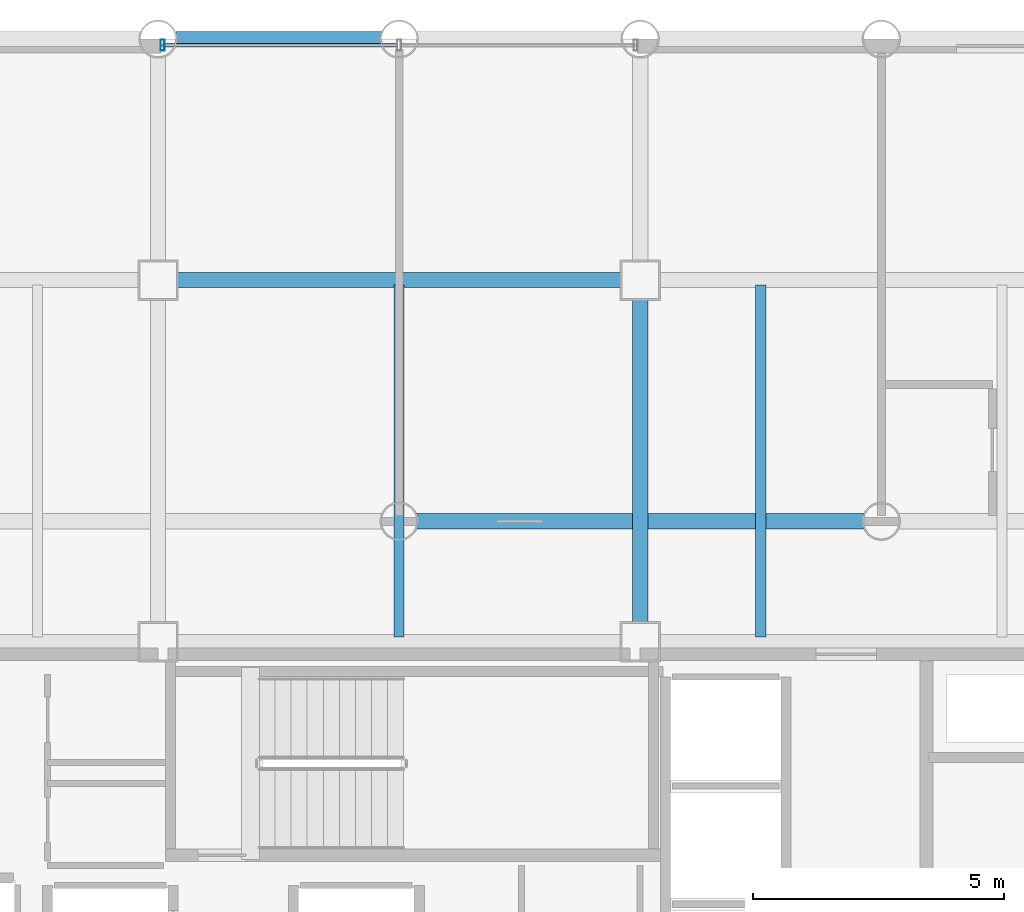
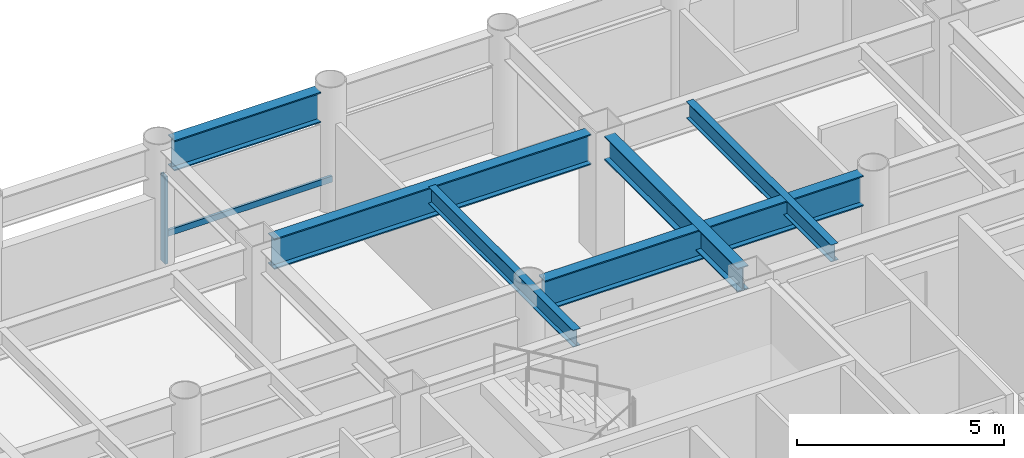
# One storey, part 11 of 21: 6 beams, 2 members, 1 element without a shape of its own.
"""IFC4 building model written with IfcOpenShell, lengths in metres."""

from ifc_helpers import new_model, si_unit, direction, frame, origin, origin_2d, place, context, subcontext, project, spatial, hollow_rectangle, i_section, extrude, material, layer, layer_set, material_profile, profile_set, type_object, element, aggregate, save


model = new_model("IFC4")

# Units and contexts
model_context = context("Model", 3, precision=1e-05, world=origin(), true_north=direction((0.0, 1.0)))
body_context = subcontext(model_context, "Body", "Model", "MODEL_VIEW")
ifc_project = project(units=[si_unit("LENGTHUNIT", "METRE"), si_unit("AREAUNIT", "SQUARE_METRE"), si_unit("VOLUMEUNIT", "CUBIC_METRE"), si_unit("PLANEANGLEUNIT", "RADIAN"), si_unit("MASSUNIT", "GRAM", prefix="KILO")], contexts=[model_context])

# Site, building, storey
site_placement = place(None, origin())
site = spatial("IfcSite", under=ifc_project, at=site_placement, CompositionType="ELEMENT")
building_placement = place(site_placement, origin())
building = spatial("IfcBuilding", under=site, at=building_placement, Name="Kallvorn Hotel Tower", CompositionType="ELEMENT")
storey_placement = place(building_placement, frame((0.0, 0.0, 41.10009765625)))
storey = spatial("IfcBuildingStorey", under=building, at=storey_placement, Name="L08", CompositionType="ELEMENT", Elevation=41.10009765625)

# Beams
ifc_material_1 = material(Name="Structural steel S355JR", Category="steel")
ifc_material_profile_1 = material_profile(ifc_material_1, i_section(OverallWidth=0.300048828125, OverallDepth=0.699951171875, WebThickness=0.01708984375, FlangeThickness=0.031982421875, at=origin_2d()), Name="HE 700 B")
ifc_profile_set_1 = profile_set([ifc_material_profile_1], Name="Structural steel S355JR")
beam_type_1 = type_object("IfcBeamType", Name="BM_HE700B", PredefinedType="BEAM", material=ifc_profile_set_1)
beam_1_placement = place(storey_placement, frame((4.800048828125, 7.574951171875, 3.169921875), z_axis=(0.0, 1.0, 0.0), x_axis=(-1.0, 0.0, 0.0)))
element("IfcBeam", 1, at=beam_1_placement, inside=storey, type_object=beam_type_1, Name="L09 Primary Y-Girder 117", PredefinedType="BEAM", context=body_context, shape_type="SweptSolid", body=[
    extrude(i_section(OverallWidth=0.300048828125, OverallDepth=0.699951171875, WebThickness=0.01708984375, FlangeThickness=0.031982421875, at=origin_2d()), origin(), (0.0, 0.0, 1.0), 6.449951171875),
])
ifc_material_2 = material(Name="Structural steel S355JR", Category="steel")
ifc_material_profile_2 = material_profile(ifc_material_2, i_section(OverallWidth=0.300048828125, OverallDepth=0.89990234375, WebThickness=0.0185546875, FlangeThickness=0.034912109375, at=origin_2d()), Name="HE 900 B")
ifc_profile_set_2 = profile_set([ifc_material_profile_2], Name="Structural steel S355JR")
beam_type_2 = type_object("IfcBeamType", Name="BM_HE900B", PredefinedType="BEAM", material=ifc_profile_set_2)
beam_2_placement = place(storey_placement, frame((0.35595703125, 9.60009765625, 3.06982421875), z_axis=(1.0, 0.0, 0.0), x_axis=(0.0, 1.0, 0.0)))
element("IfcBeam", 2, at=beam_2_placement, inside=storey, type_object=beam_type_2, Name="L09 Primary X-Girder 47", PredefinedType="BEAM", context=body_context, shape_type="SweptSolid", body=[
    extrude(i_section(OverallWidth=0.300048828125, OverallDepth=0.89990234375, WebThickness=0.0185546875, FlangeThickness=0.034912109375, at=origin_2d()), origin(), (0.0, 0.0, 1.0), 8.887939453125),
])
beam_3_placement = place(storey_placement, frame((-4.425048828125, 14.39990234375, 3.06982421875), z_axis=(1.0, 0.0, 0.0), x_axis=(0.0, 1.0, 0.0)))
element("IfcBeam", 3, at=beam_3_placement, inside=storey, type_object=beam_type_2, Name="L09 Primary X-Girder 56", PredefinedType="BEAM", context=body_context, shape_type="SweptSolid", body=[
    extrude(i_section(OverallWidth=0.300048828125, OverallDepth=0.89990234375, WebThickness=0.0185546875, FlangeThickness=0.034912109375, at=origin_2d()), origin(), (0.0, 0.0, 1.0), 8.85009765625),
])
beam_4_placement = place(storey_placement, frame((-4.444091796875, 19.199951171875, 3.06982421875), z_axis=(1.0, 0.0, 0.0), x_axis=(0.0, 1.0, 0.0)))
element("IfcBeam", 4, at=beam_4_placement, inside=storey, type_object=beam_type_2, Name="L09 Primary X-Girder 66", PredefinedType="BEAM", context=body_context, shape_type="SweptSolid", body=[
    extrude(i_section(OverallWidth=0.300048828125, OverallDepth=0.89990234375, WebThickness=0.0185546875, FlangeThickness=0.034912109375, at=origin_2d()), origin(), (0.0, 0.0, 1.0), 4.088134765625),
])
ifc_material_3 = material(Name="Structural steel S355JR", Category="steel")
ifc_material_profile_3 = material_profile(ifc_material_3, i_section(OverallWidth=0.199951171875, OverallDepth=0.5, WebThickness=0.01025390625, FlangeThickness=0.01611328125, at=origin_2d()), Name="IPE 500")
ifc_profile_set_3 = profile_set([ifc_material_profile_3], Name="Structural steel S355JR")
beam_type_3 = type_object("IfcBeamType", Name="BM_IPE500", PredefinedType="JOIST", material=ifc_profile_set_3)
for number, where, z_axis, x_axis, name in (
    (5, (0.0, 7.300048828125, 3.27001953125), (0.0, 1.0, 0.0), (-1.0, 0.0, 0.0), "L09 Secondary Composite Joist 201"),
    (6, (7.199951171875, 7.300048828125, 3.27001953125), (0.0, 1.0, 0.0), (-1.0, 0.0, 0.0), "L09 Secondary Composite Joist 203"),
):
    element("IfcBeam", number, at=place(storey_placement, frame(where, z_axis=z_axis, x_axis=x_axis)), inside=storey, type_object=beam_type_3, Name=name, PredefinedType="JOIST", context=body_context, shape_type="SweptSolid", body=[
        extrude(i_section(OverallWidth=0.199951171875, OverallDepth=0.5, WebThickness=0.01025390625, FlangeThickness=0.01611328125, at=origin_2d()), origin(), (0.0, 0.0, 1.0), 7.0),
    ])

# Curtain wall, members
ifc_material_4 = material(Name="Thermally broken black-anodised aluminium AA 6063-T6", Category="aluminium")
ifc_layer = layer(ifc_material_4, 0.199951171875)
ifc_layer_set = layer_set([ifc_layer], Name="CW_SYS_3_HOTEL_LOW")
curtain_wall_type = type_object("IfcCurtainWallType", Name="CW_SYS_3_HOTEL_LOW", PredefinedType="USERDEFINED", material=ifc_layer_set)
curtain_wall_placement = place(storey_placement, origin())
curtain_wall = element("IfcCurtainWall", 7, at=curtain_wall_placement, inside=storey, type_object=curtain_wall_type, Name="L08 Dark-Glass Curtain Wall CW-L08-NC", ObjectType="UNITISED CURTAIN WALL", PredefinedType="USERDEFINED")
ifc_material_5 = material(Name="Thermally broken black-anodised aluminium AA 6063-T6", Category="aluminium")
ifc_material_profile_4 = material_profile(ifc_material_5, hollow_rectangle(XDim=0.080078125, YDim=0.219970703125, WallThickness=0.0048828125, at=origin_2d()), Name="MUL 220x80")
ifc_profile_set_4 = profile_set([ifc_material_profile_4], Name="Thermally broken black-anodised aluminium AA 6063-T6")
member_type_1 = type_object("IfcMemberType", Name="CW_MULLION_220x80", PredefinedType="MULLION", material=ifc_profile_set_4)
member_1_placement = place(storey_placement, frame((-4.7099609375, 19.080078125, 0.02001953125), z_axis=(0.0, 0.0, 1.0), x_axis=(1.0, 0.0, 0.0)))
member_1 = element("IfcMember", 8, at=member_1_placement, type_object=member_type_1, Name="CW-L08-NC Mullion 00", PredefinedType="MULLION", context=body_context, shape_type="SweptSolid", body=[
    extrude(hollow_rectangle(XDim=0.080078125, YDim=0.219970703125, WallThickness=0.0048828125, at=origin_2d()), origin(), (0.0, 0.0, 1.0), 2.579833984375),
])
ifc_material_6 = material(Name="Thermally broken black-anodised aluminium AA 6063-T6", Category="aluminium")
ifc_material_profile_5 = material_profile(ifc_material_6, hollow_rectangle(XDim=0.070068359375, YDim=0.179931640625, WallThickness=0.00390625, at=origin_2d()), Name="TRN 180x70")
ifc_profile_set_5 = profile_set([ifc_material_profile_5], Name="Thermally broken black-anodised aluminium AA 6063-T6")
member_type_2 = type_object("IfcMemberType", Name="CW_TRANSOM_180x70", PredefinedType="USERDEFINED", material=ifc_profile_set_5)
member_2_placement = place(storey_placement, frame((-4.7099609375, 19.080078125, 0.849853515625), z_axis=(1.0, 0.0, 0.0), x_axis=(0.0, 1.0, 0.0)))
member_2 = element("IfcMember", 9, at=member_2_placement, type_object=member_type_2, Name="CW-L08-NC Transom 00M", ObjectType="TRANSOM", PredefinedType="USERDEFINED", context=body_context, shape_type="SweptSolid", body=[
    extrude(hollow_rectangle(XDim=0.070068359375, YDim=0.179931640625, WallThickness=0.00390625, at=origin_2d()), origin(), (0.0, 0.0, 1.0), 4.669921875),
])
aggregate(curtain_wall, [member_1, member_2])

save(model, "model.ifc")
